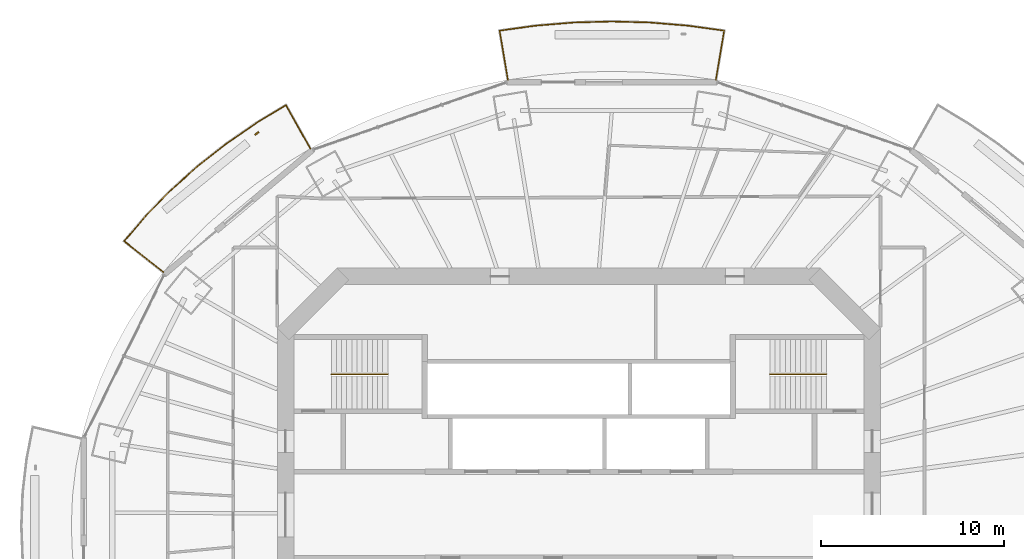
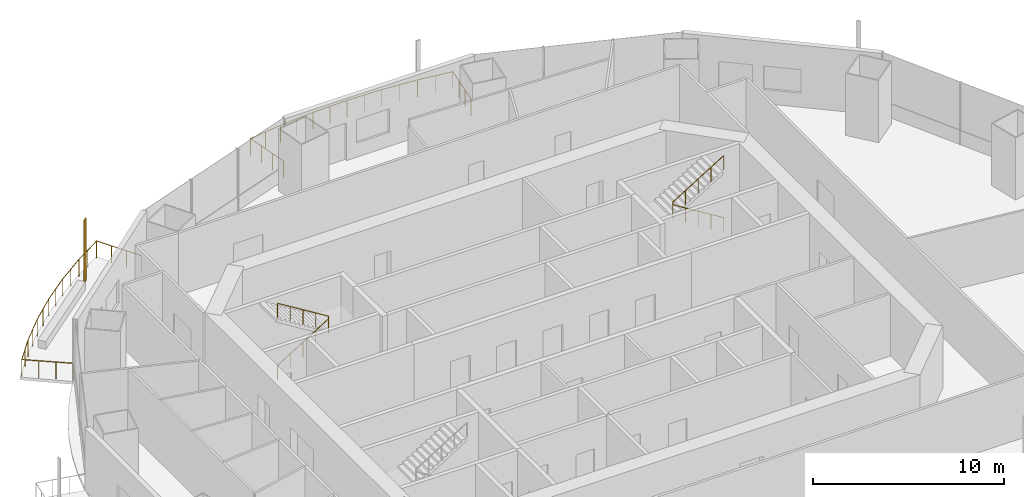
# One storey, part 16 of 18: 4 railings, 1 shading device.
"""IFC4 building model written with IfcOpenShell, lengths in metres."""

import ifcopenshell
import ifcopenshell.guid

model = None  # the IFC model being written
_history = None  # IfcOwnerHistory: only IFC2X3 demands one
_inside = {}  # id of a spatial element -> (the spatial element, [elements in it])
_under = {}  # id of a project, library or spatial element -> (it, [spatial elements below it])
_declared = {}  # id of a project -> (the project, [libraries it declares])
_typed = {}  # id of a type object -> (the type object, [elements of that type])
_made_of = {}  # id of a material, layer set ... -> (it, [elements and type objects made of it])


def new_model(schema):
    """Start an empty IFC model of exactly this schema.

    Asked for "IFC4X3", IfcOpenShell would pick the latest addendum, in which some entities
    have other attributes; the version numbers below select the first issue.
    IFC2X3 requires an IfcOwnerHistory on every rooted entity: one is made here for all.
    """
    global model, _history
    if schema == "IFC4X3":
        model = ifcopenshell.file(schema_version=(4, 3, 0, 0))
    else:
        model = ifcopenshell.file(schema=schema)
    _inside.clear()
    _under.clear()
    _declared.clear()
    _typed.clear()
    _made_of.clear()
    _history = None
    if model.schema == "IFC2X3":
        org = make("IfcOrganization", Name="unknown")
        user = make(
            "IfcPersonAndOrganization",
            ThePerson=make("IfcPerson", FamilyName="unknown"),
            TheOrganization=org,
        )
        app = make(
            "IfcApplication",
            ApplicationDeveloper=org,
            Version="unknown",
            ApplicationFullName="unknown",
            ApplicationIdentifier="unknown",
        )
        _history = make(
            "IfcOwnerHistory",
            OwningUser=user,
            OwningApplication=app,
            ChangeAction="ADDED",
            CreationDate=0,
        )
    return model


def make(cls, **values):
    """One entity of the class cls with the attributes given. An attribute that is None is left unset."""
    return model.create_entity(
        cls, **{name: value for name, value in values.items() if value is not None}
    )


def rooted(cls, **values):
    """An entity with a GlobalId (a new one), such as an element, a storey or a relation."""
    return make(cls, GlobalId=ifcopenshell.guid.new(), OwnerHistory=_history, **values)


def si_unit(unit_type, name, prefix=None):
    """IfcSIUnit, for example si_unit("LENGTHUNIT", "METRE", prefix="MILLI")."""
    return make("IfcSIUnit", UnitType=unit_type, Prefix=prefix, Name=name)


def assignment(units):
    """IfcUnitAssignment: the units of a project."""
    return None if units is None else make("IfcUnitAssignment", Units=units)


def point(xyz):
    """IfcCartesianPoint."""
    return None if xyz is None else make("IfcCartesianPoint", Coordinates=xyz)


def direction(xyz):
    """IfcDirection."""
    return None if xyz is None else make("IfcDirection", DirectionRatios=xyz)


def frame(location, z_axis=None, x_axis=None):
    """IfcAxis2Placement3D, a coordinate frame: its origin and axes. An axis left out is left unset."""
    return make(
        "IfcAxis2Placement3D",
        Location=point(location),
        Axis=direction(z_axis),
        RefDirection=direction(x_axis),
    )


def frame_2d(location, x_axis=None):
    """IfcAxis2Placement2D, a coordinate frame in the plane: its origin and x axis."""
    return make(
        "IfcAxis2Placement2D", Location=point(location), RefDirection=direction(x_axis)
    )


def origin():
    """The frame at (0, 0, 0) with its axes left unset."""
    return frame((0.0, 0.0, 0.0))


def origin_2d():
    """The frame at (0, 0) in the plane with its x axis left unset."""
    return frame_2d((0.0, 0.0))


def place(relative_to, where):
    """IfcLocalPlacement: puts the frame where relative to a parent placement (None: the world)."""
    return make(
        "IfcLocalPlacement", PlacementRelTo=relative_to, RelativePlacement=where
    )


def context(
    kind, dimensions, precision=None, world=None, true_north=None, identifier=None
):
    """IfcGeometricRepresentationContext, for example the 3D "Model" context."""
    return make(
        "IfcGeometricRepresentationContext",
        ContextIdentifier=identifier,
        ContextType=kind,
        CoordinateSpaceDimension=dimensions,
        Precision=precision,
        WorldCoordinateSystem=world,
        TrueNorth=true_north,
    )


def subcontext(parent, identifier, kind, view, scale=None):
    """IfcGeometricRepresentationSubContext, for example "Body" below "Model"."""
    return make(
        "IfcGeometricRepresentationSubContext",
        ContextIdentifier=identifier,
        ContextType=kind,
        ParentContext=parent,
        TargetScale=scale,
        TargetView=view,
    )


def project(units=None, contexts=None):
    """IfcProject with its units and contexts."""
    return rooted(
        "IfcProject",
        Name="project",
        RepresentationContexts=contexts,
        UnitsInContext=assignment(units),
    )


def spatial(cls, under=None, at=None, **own):
    """A site, building, storey or space (cls), placed at a placement, below another one or the project."""
    s = rooted(cls, ObjectPlacement=at, **own)
    if under is not None:
        _under.setdefault(under.id(), (under, []))[1].append(s)
    return s


def profile(cls, at=None, kind="AREA", **sizes):
    """A parametric profile (cls). Its sizes go by their IFC names, for example OverallWidth=200.0."""
    return make(cls, ProfileType=kind, Position=at, **sizes)


def rectangle(**sizes):
    """IfcRectangleProfileDef."""
    return profile("IfcRectangleProfileDef", **sizes)


def circle(**sizes):
    """IfcCircleProfileDef."""
    return profile("IfcCircleProfileDef", **sizes)


def extrude(swept, where, along, depth):
    """IfcExtrudedAreaSolid: the profile swept, set in the frame where, extruded along a direction by depth."""
    return make(
        "IfcExtrudedAreaSolid",
        SweptArea=swept,
        Position=where,
        ExtrudedDirection=direction(along),
        Depth=depth,
    )


def shape(context_of_items, identifier, shape_type, items):
    """IfcShapeRepresentation: the items that make up one representation, for example the "Body"."""
    return make(
        "IfcShapeRepresentation",
        ContextOfItems=context_of_items,
        RepresentationIdentifier=identifier,
        RepresentationType=shape_type,
        Items=items,
    )


def material(Name=None, Category=None):
    """IfcMaterial."""
    return make("IfcMaterial", Name=Name, Category=Category)


def material_profile(
    of_material, cross_section, Name=None, Category=None, Priority=None
):
    """IfcMaterialProfile: a cross section and its material."""
    return make(
        "IfcMaterialProfile",
        Name=Name,
        Material=of_material,
        Profile=cross_section,
        Priority=Priority,
        Category=Category,
    )


def profile_set(profiles, Name=None, composite=None):
    """IfcMaterialProfileSet."""
    return make(
        "IfcMaterialProfileSet",
        Name=Name,
        MaterialProfiles=profiles,
        CompositeProfile=composite,
    )


def made_of(thing, what):
    """Note that an element or type object is made of a material, layer set ...; save() writes the relation."""
    if what is not None:
        _made_of.setdefault(what.id(), (what, []))[1].append(thing)
    return thing


def type_object(cls, material=None, **own):
    """A type object (cls), such as IfcWallType, which elements share."""
    return made_of(rooted(cls, **own), material)


def element(
    cls,
    number,
    at=None,
    inside=None,
    cuts=None,
    type_object=None,
    material=None,
    context=None,
    identifier="Body",
    shape_type=None,
    held_by="IfcProductDefinitionShape",
    body=None,
    shapes=None,
    **own,
):
    """One element of the class cls, such as IfcWall. Its Tag is "e" and its number.

    at: its placement. inside: the storey or other place that contains it. cuts: it is an
    opening in that element (IfcRelVoidsElement). A single representation is given by context,
    identifier, shape_type and body (its items); several are given by shapes. held_by: the class
    of the entity that holds the representations. save() writes the other relations.
    """
    e = rooted(cls, Tag="e%d" % number, ObjectPlacement=at, **own)
    if body is not None:
        shapes = [shape(context, identifier, shape_type, body)]
    if shapes is not None:
        e.Representation = make(held_by, Representations=shapes)
    if inside is not None:
        _inside.setdefault(inside.id(), (inside, []))[1].append(e)
    if cuts is not None:
        rooted(
            "IfcRelVoidsElement", RelatingBuildingElement=cuts, RelatedOpeningElement=e
        )
    if type_object is not None:
        _typed.setdefault(type_object.id(), (type_object, []))[1].append(e)
    return made_of(e, material)


def aggregate(whole, parts):
    """IfcRelAggregates: a whole, such as a stair, and the parts it consists of."""
    return rooted("IfcRelAggregates", RelatingObject=whole, RelatedObjects=parts)


def save(model, path):
    """Write the relations noted so far, then the file.

    IfcRelAggregates (storeys below a building ...), IfcRelContainedInSpatialStructure (elements
    in a storey), IfcRelDefinesByType, IfcRelAssociatesMaterial and IfcRelDeclares: one each for
    every whole, place, type object, material and project.
    """
    for whole, parts in _under.values():
        aggregate(whole, parts)
    for where, things in _inside.values():
        rooted(
            "IfcRelContainedInSpatialStructure",
            RelatedElements=things,
            RelatingStructure=where,
        )
    for kind, things in _typed.values():
        rooted("IfcRelDefinesByType", RelatedObjects=things, RelatingType=kind)
    for what, things in _made_of.values():
        rooted("IfcRelAssociatesMaterial", RelatedObjects=things, RelatingMaterial=what)
    for by, libraries in _declared.values():
        rooted("IfcRelDeclares", RelatingContext=by, RelatedDefinitions=libraries)
    model.write(path)


model = new_model("IFC4")

# Units and contexts
model_context = context("Model", 3, precision=1e-05, world=origin(), true_north=direction((0.0, 1.0)))
body_context = subcontext(model_context, "Body", "Model", "MODEL_VIEW")
ifc_project = project(units=[si_unit("LENGTHUNIT", "METRE"), si_unit("AREAUNIT", "SQUARE_METRE"), si_unit("VOLUMEUNIT", "CUBIC_METRE"), si_unit("PLANEANGLEUNIT", "RADIAN"), si_unit("MASSUNIT", "GRAM", prefix="KILO")], contexts=[model_context])

# Site, building, storey
site_placement = place(None, origin())
site = spatial("IfcSite", under=ifc_project, at=site_placement, CompositionType="ELEMENT")
building_placement = place(site_placement, origin())
building = spatial("IfcBuilding", under=site, at=building_placement, Name="Marenthal Gate Tower", CompositionType="ELEMENT")
storey_placement = place(building_placement, frame((0.0, 0.0, 260.64990234375)))
storey = spatial("IfcBuildingStorey", under=building, at=storey_placement, Name="L58", CompositionType="ELEMENT", Elevation=260.64990234375)

# Railings
ifc_material_1 = material(Name="Stainless steel", Category="steel")
railing_type_1 = type_object("IfcRailingType", Name="Balcony guard 1100", PredefinedType="GUARDRAIL", material=ifc_material_1)
railing_1_placement = place(storey_placement, frame((-3.87255859375, 23.724853515625, 0.0)))
element("IfcRailing", 1, at=railing_1_placement, inside=storey, type_object=railing_type_1, Name="Balcony guard L58 bay 4", PredefinedType="GUARDRAIL", context=body_context, shape_type="SweptSolid", body=[
    extrude(circle(Radius=0.02392578125, at=origin_2d()), frame((0.0, 0.0, 1.076171875), z_axis=(-0.165138148772, 0.986161944948, -0.014629086005), x_axis=(-0.986267486225, -0.165155822229, 0.0)), (0.0, 0.0, 1.0), 2.72021484375),
    extrude(circle(Radius=0.02392578125, at=origin_2d()), frame((-0.44921875, 2.6826171875, 1.0361328125), z_axis=(0.990645127647, 0.136463295684, 0.0), x_axis=(-0.136463295684, 0.990645127647, 0.0)), (0.0, 0.0, 1.0), 1.992919921875),
    extrude(circle(Radius=0.02392578125, at=origin_2d()), frame((1.525146484375, 2.95458984375, 1.0361328125), z_axis=(0.996588596439, 0.082529809449, 0.0), x_axis=(-0.082529809449, 0.996588596439, 0.0)), (0.0, 0.0, 1.0), 2.07666015625),
    extrude(circle(Radius=0.02392578125, at=origin_2d()), frame((3.5947265625, 3.1259765625, 1.0361328125), z_axis=(0.999622258755, 0.027483445958, 0.0), x_axis=(-0.027483445958, 0.999622258755, 0.0)), (0.0, 0.0, 1.0), 2.07861328125),
    extrude(circle(Radius=0.02392578125, at=origin_2d()), frame((5.672607421875, 3.18310546875, 1.0361328125), z_axis=(0.999622258755, -0.027483445958, 0.0), x_axis=(0.027483445958, 0.999622258755, 0.0)), (0.0, 0.0, 1.0), 2.07861328125),
    extrude(circle(Radius=0.02392578125, at=origin_2d()), frame((7.75048828125, 3.1259765625, 1.0361328125), z_axis=(0.996588596439, -0.082529809449, 0.0), x_axis=(0.082529809449, 0.996588596439, 0.0)), (0.0, 0.0, 1.0), 2.07666015625),
    extrude(circle(Radius=0.02392578125, at=origin_2d()), frame((9.820068359375, 2.95458984375, 1.0361328125), z_axis=(0.990642846037, -0.136479857839, 0.0), x_axis=(0.136479857839, 0.990642846037, 0.0)), (0.0, 0.0, 1.0), 1.99267578125),
    extrude(circle(Radius=0.02392578125, at=origin_2d()), frame((11.794189453125, 2.6826171875, 1.0361328125), z_axis=(-0.165050845347, -0.98617655719, 0.014629302769), x_axis=(0.986282103159, -0.165068509984, 0.0)), (0.0, 0.0, 1.0), 2.72021484375),
    extrude(circle(Radius=0.02099609375, at=origin_2d()), origin(), (0.0, 0.0, 1.0), 1.052001953125),
    extrude(circle(Radius=0.02099609375, at=origin_2d()), frame((-0.149658203125, 0.894287109375, -0.01318359375)), (0.0, 0.0, 1.0), 1.052001953125),
    extrude(circle(Radius=0.02099609375, at=origin_2d()), frame((-0.299560546875, 1.788330078125, -0.026611328125)), (0.0, 0.0, 1.0), 1.052001953125),
    extrude(circle(Radius=0.02099609375, at=origin_2d()), frame((-0.44921875, 2.6826171875, -0.039794921875)), (0.0, 0.0, 1.0), 1.052001953125),
    extrude(circle(Radius=0.02099609375, at=origin_2d()), frame((0.5380859375, 2.818603515625, -0.039794921875)), (0.0, 0.0, 1.0), 1.052001953125),
    extrude(circle(Radius=0.02099609375, at=origin_2d()), frame((1.525146484375, 2.95458984375, -0.039794921875)), (0.0, 0.0, 1.0), 1.052001953125),
    extrude(circle(Radius=0.02099609375, at=origin_2d()), frame((2.56005859375, 3.040283203125, -0.039794921875)), (0.0, 0.0, 1.0), 1.052001953125),
    extrude(circle(Radius=0.02099609375, at=origin_2d()), frame((3.5947265625, 3.1259765625, -0.039794921875)), (0.0, 0.0, 1.0), 1.052001953125),
    extrude(circle(Radius=0.02099609375, at=origin_2d()), frame((4.6337890625, 3.154541015625, -0.039794921875)), (0.0, 0.0, 1.0), 1.052001953125),
    extrude(circle(Radius=0.02099609375, at=origin_2d()), frame((5.672607421875, 3.18310546875, -0.039794921875)), (0.0, 0.0, 1.0), 1.052001953125),
    extrude(circle(Radius=0.02099609375, at=origin_2d()), frame((6.71142578125, 3.154541015625, -0.039794921875)), (0.0, 0.0, 1.0), 1.052001953125),
    extrude(circle(Radius=0.02099609375, at=origin_2d()), frame((7.75048828125, 3.1259765625, -0.039794921875)), (0.0, 0.0, 1.0), 1.052001953125),
    extrude(circle(Radius=0.02099609375, at=origin_2d()), frame((8.78515625, 3.040283203125, -0.039794921875)), (0.0, 0.0, 1.0), 1.052001953125),
    extrude(circle(Radius=0.02099609375, at=origin_2d()), frame((9.820068359375, 2.95458984375, -0.039794921875)), (0.0, 0.0, 1.0), 1.052001953125),
    extrude(circle(Radius=0.02099609375, at=origin_2d()), frame((10.80712890625, 2.818603515625, -0.039794921875)), (0.0, 0.0, 1.0), 1.052001953125),
    extrude(circle(Radius=0.02099609375, at=origin_2d()), frame((11.794189453125, 2.6826171875, -0.039794921875)), (0.0, 0.0, 1.0), 1.052001953125),
    extrude(circle(Radius=0.02099609375, at=origin_2d()), frame((11.64453125, 1.788330078125, -0.026611328125)), (0.0, 0.0, 1.0), 1.052001953125),
    extrude(circle(Radius=0.02099609375, at=origin_2d()), frame((11.494873046875, 0.894287109375, -0.01318359375)), (0.0, 0.0, 1.0), 1.052001953125),
    extrude(circle(Radius=0.02099609375, at=origin_2d()), frame((11.34521484375, 0.0, 0.0)), (0.0, 0.0, 1.0), 1.052001953125),
])
railing_2_placement = place(storey_placement, frame((-22.662841796875, 13.234130859375, 0.0)))
element("IfcRailing", 2, at=railing_2_placement, inside=storey, type_object=railing_type_1, Name="Balcony guard L58 bay 6", PredefinedType="GUARDRAIL", context=body_context, shape_type="SweptSolid", body=[
    extrude(circle(Radius=0.02392578125, at=origin_2d()), frame((0.0, 0.0, 1.076171875), z_axis=(-0.783135019955, 0.62167961073, -0.014628811397), x_axis=(-0.621746141787, -0.783218829685, 0.0)), (0.0, 0.0, 1.0), 2.72021484375),
    extrude(circle(Radius=0.02392578125, at=origin_2d()), frame((-2.13037109375, 1.691162109375, 1.0361328125), z_axis=(0.649762582355, 0.760137215621, 0.0), x_axis=(-0.760137215621, 0.649762582355, 0.0)), (0.0, 0.0, 1.0), 1.838134765625),
    extrude(circle(Radius=0.02392578125, at=origin_2d()), frame((-0.93603515625, 3.08837890625, 1.0361328125), z_axis=(0.698468992186, 0.715640319543, 0.0), x_axis=(-0.715640319543, 0.698468992186, 0.0)), (0.0, 0.0, 1.0), 1.93359375),
    extrude(circle(Radius=0.02392578125, at=origin_2d()), frame((0.41455078125, 4.47216796875, 1.0361328125), z_axis=(0.744090634805, 0.668078683387, 0.0), x_axis=(-0.668078683387, 0.744090634805, 0.0)), (0.0, 0.0, 1.0), 1.94970703125),
    extrude(circle(Radius=0.02392578125, at=origin_2d()), frame((1.865234375, 5.774658203125, 1.0361328125), z_axis=(0.78557216762, 0.618770045705, 0.0), x_axis=(-0.618770045705, 0.78557216762, 0.0)), (0.0, 0.0, 1.0), 1.965576171875),
    extrude(circle(Radius=0.02392578125, at=origin_2d()), frame((3.409423828125, 6.990966796875, 1.0361328125), z_axis=(0.823034037929, 0.567992053122, 0.0), x_axis=(-0.567992053122, 0.823034037929, 0.0)), (0.0, 0.0, 1.0), 1.9814453125),
    extrude(circle(Radius=0.02392578125, at=origin_2d()), frame((5.040283203125, 8.116455078125, 1.0361328125), z_axis=(0.855836862024, 0.517245846383, 0.0), x_axis=(-0.517245846383, 0.855836862024, 0.0)), (0.0, 0.0, 1.0), 1.917236328125),
    extrude(circle(Radius=0.02392578125, at=origin_2d()), frame((6.68115234375, 9.108154296875, 1.0361328125), z_axis=(0.49011077196, -0.87153739361, 0.014628832783), x_axis=(0.871630664279, 0.490163222905, 0.0)), (0.0, 0.0, 1.0), 2.72021484375),
    extrude(circle(Radius=0.02099609375, at=origin_2d()), origin(), (0.0, 0.0, 1.0), 1.052001953125),
    extrude(circle(Radius=0.02099609375, at=origin_2d()), frame((-0.710205078125, 0.563720703125, -0.01318359375)), (0.0, 0.0, 1.0), 1.052001953125),
    extrude(circle(Radius=0.02099609375, at=origin_2d()), frame((-1.420166015625, 1.12744140625, -0.026611328125)), (0.0, 0.0, 1.0), 1.052001953125),
    extrude(circle(Radius=0.02099609375, at=origin_2d()), frame((-2.13037109375, 1.691162109375, -0.039794921875)), (0.0, 0.0, 1.0), 1.052001953125),
    extrude(circle(Radius=0.02099609375, at=origin_2d()), frame((-1.533203125, 2.3896484375, -0.039794921875)), (0.0, 0.0, 1.0), 1.052001953125),
    extrude(circle(Radius=0.02099609375, at=origin_2d()), frame((-0.93603515625, 3.08837890625, -0.039794921875)), (0.0, 0.0, 1.0), 1.052001953125),
    extrude(circle(Radius=0.02099609375, at=origin_2d()), frame((-0.2607421875, 3.7802734375, -0.039794921875)), (0.0, 0.0, 1.0), 1.052001953125),
    extrude(circle(Radius=0.02099609375, at=origin_2d()), frame((0.41455078125, 4.47216796875, -0.039794921875)), (0.0, 0.0, 1.0), 1.052001953125),
    extrude(circle(Radius=0.02099609375, at=origin_2d()), frame((1.139892578125, 5.12353515625, -0.039794921875)), (0.0, 0.0, 1.0), 1.052001953125),
    extrude(circle(Radius=0.02099609375, at=origin_2d()), frame((1.865234375, 5.774658203125, -0.039794921875)), (0.0, 0.0, 1.0), 1.052001953125),
    extrude(circle(Radius=0.02099609375, at=origin_2d()), frame((2.63720703125, 6.3828125, -0.039794921875)), (0.0, 0.0, 1.0), 1.052001953125),
    extrude(circle(Radius=0.02099609375, at=origin_2d()), frame((3.409423828125, 6.990966796875, -0.039794921875)), (0.0, 0.0, 1.0), 1.052001953125),
    extrude(circle(Radius=0.02099609375, at=origin_2d()), frame((4.224853515625, 7.5537109375, -0.039794921875)), (0.0, 0.0, 1.0), 1.052001953125),
    extrude(circle(Radius=0.02099609375, at=origin_2d()), frame((5.040283203125, 8.116455078125, -0.039794921875)), (0.0, 0.0, 1.0), 1.052001953125),
    extrude(circle(Radius=0.02099609375, at=origin_2d()), frame((5.86083984375, 8.6123046875, -0.039794921875)), (0.0, 0.0, 1.0), 1.052001953125),
    extrude(circle(Radius=0.02099609375, at=origin_2d()), frame((6.68115234375, 9.108154296875, -0.039794921875)), (0.0, 0.0, 1.0), 1.052001953125),
    extrude(circle(Radius=0.02099609375, at=origin_2d()), frame((7.12548828125, 8.31787109375, -0.026611328125)), (0.0, 0.0, 1.0), 1.052001953125),
    extrude(circle(Radius=0.02099609375, at=origin_2d()), frame((7.570068359375, 7.527587890625, -0.01318359375)), (0.0, 0.0, 1.0), 1.052001953125),
    extrude(circle(Radius=0.02099609375, at=origin_2d()), frame((8.014404296875, 6.7373046875, 0.0)), (0.0, 0.0, 1.0), 1.052001953125),
])
ifc_material_2 = material(Name="Stainless steel", Category="steel")
railing_type_2 = type_object("IfcRailingType", Name="Stair handrail", PredefinedType="HANDRAIL", material=ifc_material_2)
railing_3_placement = place(storey_placement, frame((-13.5, 7.675048828125, 0.173095703125)))
element("IfcRailing", 3, at=railing_3_placement, inside=storey, type_object=railing_type_2, Name="Handrail ST1", PredefinedType="HANDRAIL", context=body_context, shape_type="SweptSolid", body=[
    extrude(circle(Radius=0.0224609375, at=origin_2d()), frame((0.0, 0.0, 0.927490234375), z_axis=(0.850835241893, 0.0, 0.525432575268), x_axis=(0.0, 1.0, 0.0)), (0.0, 0.0, 1.0), 3.6201171875),
    extrude(circle(Radius=0.0224609375, at=origin_2d()), frame((3.080078125, 0.0, 2.82958984375), z_axis=(0.0, 0.0, 1.0), x_axis=(1.0, 0.0, 0.0)), (0.0, 0.0, 1.0), 0.1728515625),
    extrude(circle(Radius=0.0224609375, at=origin_2d()), frame((3.080078125, 0.0, 3.00244140625), z_axis=(-0.850835241893, 0.0, 0.525432575268), x_axis=(0.0, -1.0, 0.0)), (0.0, 0.0, 1.0), 3.6201171875),
    extrude(circle(Radius=0.02001953125, at=origin_2d()), origin(), (0.0, 0.0, 1.0), 0.905029296875),
    extrude(circle(Radius=0.02001953125, at=origin_2d()), frame((0.77001953125, 0.0, 0.4755859375)), (0.0, 0.0, 1.0), 0.905029296875),
    extrude(circle(Radius=0.02001953125, at=origin_2d()), frame((1.5400390625, 0.0, 0.951171875)), (0.0, 0.0, 1.0), 0.905029296875),
    extrude(circle(Radius=0.02001953125, at=origin_2d()), frame((2.31005859375, 0.0, 1.426513671875)), (0.0, 0.0, 1.0), 0.905029296875),
    extrude(circle(Radius=0.02001953125, at=origin_2d()), frame((3.080078125, 0.0, 1.902099609375)), (0.0, 0.0, 1.0), 0.905029296875),
    extrude(circle(Radius=0.02001953125, at=origin_2d()), frame((3.080078125, 0.0, 2.074951171875)), (0.0, 0.0, 1.0), 0.905029296875),
    extrude(circle(Radius=0.02001953125, at=origin_2d()), frame((2.31005859375, 0.0, 2.550537109375)), (0.0, 0.0, 1.0), 0.905029296875),
    extrude(circle(Radius=0.02001953125, at=origin_2d()), frame((1.5400390625, 0.0, 3.02587890625)), (0.0, 0.0, 1.0), 0.905029296875),
    extrude(circle(Radius=0.02001953125, at=origin_2d()), frame((0.77001953125, 0.0, 3.50146484375)), (0.0, 0.0, 1.0), 0.905029296875),
    extrude(circle(Radius=0.02001953125, at=origin_2d()), frame((0.0, 0.0, 3.97705078125)), (0.0, 0.0, 1.0), 0.905029296875),
])
railing_4_placement = place(storey_placement, frame((13.5, 7.675048828125, 0.173095703125)))
element("IfcRailing", 4, at=railing_4_placement, inside=storey, type_object=railing_type_2, Name="Handrail ST3", PredefinedType="HANDRAIL", context=body_context, shape_type="SweptSolid", body=[
    extrude(circle(Radius=0.0224609375, at=origin_2d()), frame((0.0, 0.0, 0.927490234375), z_axis=(-0.850835241893, 0.0, 0.525432575268), x_axis=(0.0, -1.0, 0.0)), (0.0, 0.0, 1.0), 3.6201171875),
    extrude(circle(Radius=0.0224609375, at=origin_2d()), frame((-3.080078125, 0.0, 2.82958984375), z_axis=(0.0, 0.0, 1.0), x_axis=(1.0, 0.0, 0.0)), (0.0, 0.0, 1.0), 0.1728515625),
    extrude(circle(Radius=0.0224609375, at=origin_2d()), frame((-3.080078125, 0.0, 3.00244140625), z_axis=(0.850835241893, 0.0, 0.525432575268), x_axis=(0.0, 1.0, 0.0)), (0.0, 0.0, 1.0), 3.6201171875),
    extrude(circle(Radius=0.02001953125, at=origin_2d()), origin(), (0.0, 0.0, 1.0), 0.905029296875),
    extrude(circle(Radius=0.02001953125, at=origin_2d()), frame((-0.77001953125, 0.0, 0.4755859375)), (0.0, 0.0, 1.0), 0.905029296875),
    extrude(circle(Radius=0.02001953125, at=origin_2d()), frame((-1.5400390625, 0.0, 0.951171875)), (0.0, 0.0, 1.0), 0.905029296875),
    extrude(circle(Radius=0.02001953125, at=origin_2d()), frame((-2.31005859375, 0.0, 1.426513671875)), (0.0, 0.0, 1.0), 0.905029296875),
    extrude(circle(Radius=0.02001953125, at=origin_2d()), frame((-3.080078125, 0.0, 1.902099609375)), (0.0, 0.0, 1.0), 0.905029296875),
    extrude(circle(Radius=0.02001953125, at=origin_2d()), frame((-3.080078125, 0.0, 2.074951171875)), (0.0, 0.0, 1.0), 0.905029296875),
    extrude(circle(Radius=0.02001953125, at=origin_2d()), frame((-2.31005859375, 0.0, 2.550537109375)), (0.0, 0.0, 1.0), 0.905029296875),
    extrude(circle(Radius=0.02001953125, at=origin_2d()), frame((-1.5400390625, 0.0, 3.02587890625)), (0.0, 0.0, 1.0), 0.905029296875),
    extrude(circle(Radius=0.02001953125, at=origin_2d()), frame((-0.77001953125, 0.0, 3.50146484375)), (0.0, 0.0, 1.0), 0.905029296875),
    extrude(circle(Radius=0.02001953125, at=origin_2d()), frame((0.0, 0.0, 3.97705078125)), (0.0, 0.0, 1.0), 0.905029296875),
])

# Shading device
ifc_material_3 = material(Name="Terracotta", Category="masonry")
ifc_material_profile = material_profile(ifc_material_3, rectangle(XDim=0.25, YDim=0.080078125, at=origin_2d()), Name="Terracotta baguette 250x80")
ifc_profile_set = profile_set([ifc_material_profile], Name="Terracotta")
shading_device_type = type_object("IfcShadingDeviceType", Name="Terracotta BAGUETTE SCREEN 250x80", PredefinedType="USERDEFINED", material=ifc_profile_set)
shading_device_placement = place(storey_placement, frame((-17.5654296875, 20.80078125, -0.039794921875), z_axis=(0.0, 0.0, 1.0), x_axis=(-0.765301302142, -0.64367221234, 0.0)))
element("IfcShadingDevice", 5, at=shading_device_placement, inside=storey, type_object=shading_device_type, Name="Terracotta BAGUETTE L58 bay 6L", ObjectType="BAGUETTE SCREEN", PredefinedType="USERDEFINED", context=body_context, shape_type="SweptSolid", body=[
    extrude(rectangle(XDim=0.25, YDim=0.080078125, at=origin_2d()), origin(), (0.0, 0.0, 1.0), 3.969970703125),
])

save(model, "model.ifc")
